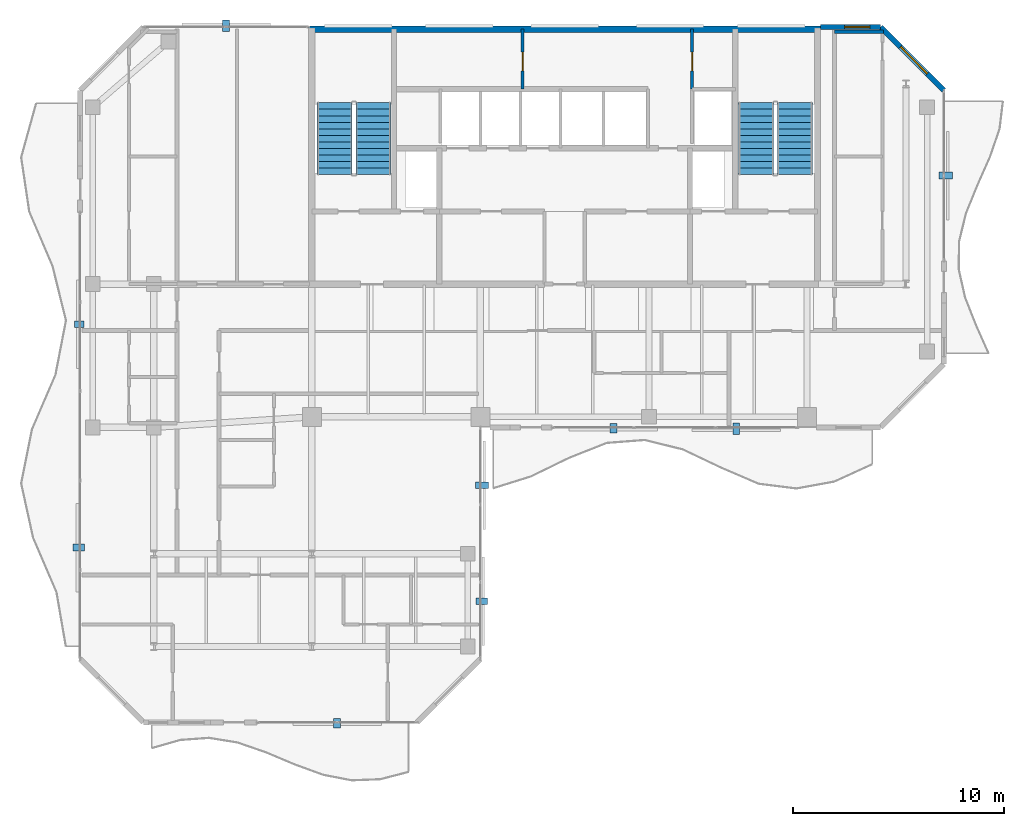
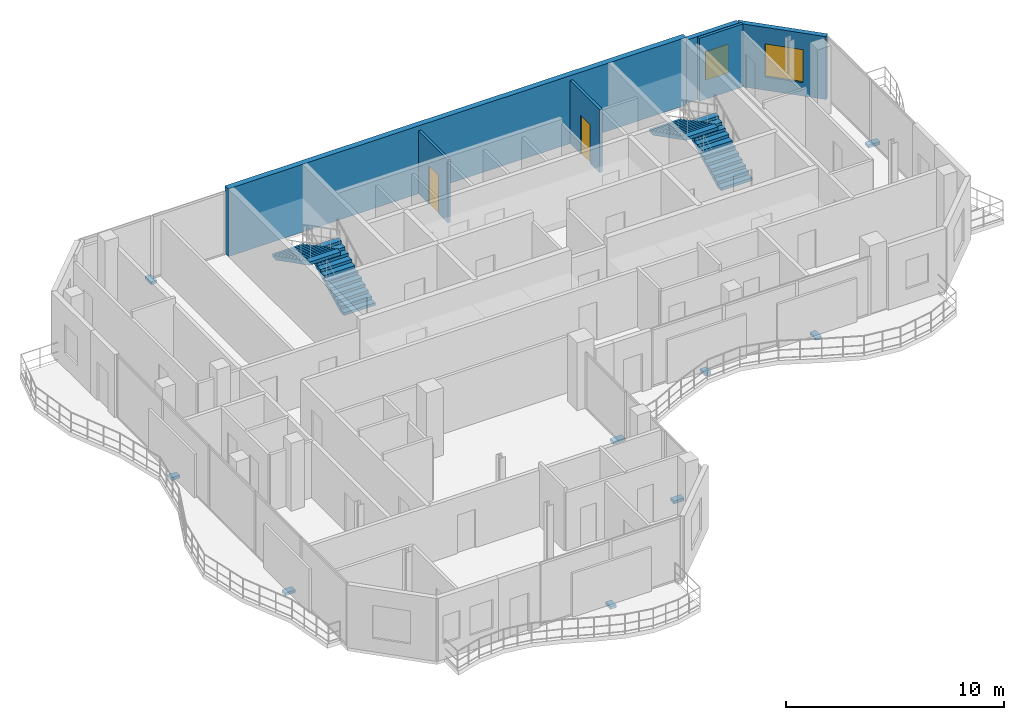
# One storey, part 20 of 23: 9 discrete accessories, 6 walls, 4 stair flights, 2 doors, 2 windows, 4 openings, 2 elements without a shape of their own.
"""IFC4 building model written with IfcOpenShell, lengths in metres."""

from ifc_helpers import new_model, si_unit, direction, frame, frame_2d, origin, origin_2d, place, context, subcontext, project, spatial, polyline, rectangle, outline, extrude, material, layer, layer_set, type_object, element, fill, aggregate, save


model = new_model("IFC4")

# Units and contexts
model_context = context("Model", 3, precision=1e-05, world=origin(), true_north=direction((0.0, 1.0)))
body_context = subcontext(model_context, "Body", "Model", "MODEL_VIEW")
ifc_project = project(units=[si_unit("LENGTHUNIT", "METRE"), si_unit("AREAUNIT", "SQUARE_METRE"), si_unit("VOLUMEUNIT", "CUBIC_METRE"), si_unit("PLANEANGLEUNIT", "RADIAN"), si_unit("MASSUNIT", "GRAM", prefix="KILO")], contexts=[model_context])

# Site, building, storey
site_placement = place(None, origin())
site = spatial("IfcSite", under=ifc_project, at=site_placement, CompositionType="ELEMENT")
building_placement = place(site_placement, origin())
building = spatial("IfcBuilding", under=site, at=building_placement, Name="Catumbela Crestline Tower", CompositionType="ELEMENT")
storey_placement = place(building_placement, frame((0.0, 0.0, 248.8)))
storey = spatial("IfcBuildingStorey", under=building, at=storey_placement, Name="L64", CompositionType="ELEMENT", Elevation=248.8)

# Wall
ifc_material_1 = material(Name="Concrete C45/55", Category="concrete")
ifc_layer_1 = layer(ifc_material_1, 0.3, Name="Concrete C45/55")
ifc_layer_set_1 = layer_set([ifc_layer_1], Name="Concrete C45/55")
wall_type_1 = type_object("IfcWallType", Name="CW-300E", PredefinedType="SHEAR", material=ifc_layer_set_1)
wall_1_placement = place(storey_placement, frame((15.85, 42.9, 0.0), z_axis=(0.0, 0.0, 1.0), x_axis=(1.0, 0.0, 0.0)))
element("IfcWall", 1, at=wall_1_placement, inside=storey, type_object=wall_type_1, Name="L64 Structural Core Shear Wall N", PredefinedType="SHEAR", context=body_context, shape_type="SweptSolid", body=[
    extrude(rectangle(XDim=24.3, YDim=0.3, at=frame_2d((12.15, 0.0))), origin(), (0.0, 0.0, 1.0), 3.8),
])

# Wall, opening, window
ifc_material_2 = material(Name="Angolan grey-ochre granite", Category="masonry")
ifc_layer_2 = layer(ifc_material_2, 0.25, Name="Angolan grey-ochre granite")
ifc_layer_set_2 = layer_set([ifc_layer_2], Name="Angolan grey-ochre granite")
wall_type_2 = type_object("IfcWallType", Name="WE-250", PredefinedType="STANDARD", material=ifc_layer_set_2)
wall_2_placement = place(storey_placement, frame((46.0, 40.0, 0.0), z_axis=(0.0, 0.0, 1.0), x_axis=(-0.707106781187, 0.707106781187, 0.0)))
wall_2 = element("IfcWall", 2, at=wall_2_placement, inside=storey, type_object=wall_type_2, Name="L64 Granite Punched Window Wall 6-1", PredefinedType="STANDARD", context=body_context, shape_type="SweptSolid", body=[
    extrude(rectangle(XDim=4.2426, YDim=0.25, at=frame_2d((2.1213, 0.0))), origin(), (0.0, 0.0, 1.0), 3.53),
])
opening_1_placement = place(wall_2_placement, frame((1.1111, 0.0, 0.75)))
opening_1 = element("IfcOpeningElement", 3, at=opening_1_placement, cuts=wall_2, Name="Opening WN-01", PredefinedType="OPENING", context=body_context, shape_type="SweptSolid", body=[
    extrude(rectangle(XDim=1.8, YDim=1.85, at=frame_2d((0.9, 0.925))), frame((0.0, 0.135, 0.0), z_axis=(0.0, -1.0, 0.0), x_axis=(1.0, 0.0, 0.0)), (0.0, 0.0, 1.0), 0.27),
])
ifc_material_3 = material(Name="Low-E laminated solar-control double glazing", Category="glass")
window_type_1 = type_object("IfcWindowType", Name="WF-1800", PartitioningType="SINGLE_PANEL", PredefinedType="WINDOW", material=ifc_material_3)
window_1_placement = place(opening_1_placement, origin())
window_1 = element("IfcWindow", 4, at=window_1_placement, inside=storey, type_object=window_type_1, Name="L64 Facade Vision Window 485", OverallHeight=1.85, OverallWidth=1.8, PartitioningType="SINGLE_PANEL", PredefinedType="WINDOW", context=body_context, shape_type="SweptSolid", body=[
    extrude(rectangle(XDim=1.8, YDim=1.85, at=frame_2d((0.9, 0.925))), frame((0.0, 0.03, 0.0), z_axis=(0.0, -1.0, 0.0), x_axis=(1.0, 0.0, 0.0)), (0.0, 0.0, 1.0), 0.06),
])
fill(opening_1, window_1)

wall_3_placement = place(storey_placement, frame((43.0, 43.0, 0.0), z_axis=(0.0, 0.0, 1.0), x_axis=(-1.0, 0.0, 0.0)))
wall_3 = element("IfcWall", 5, at=wall_3_placement, inside=storey, type_object=wall_type_2, Name="L64 Granite Punched Window Wall 7-1", PredefinedType="STANDARD", context=body_context, shape_type="SweptSolid", body=[
    extrude(rectangle(XDim=2.86, YDim=0.25, at=frame_2d((1.43, 0.0))), origin(), (0.0, 0.0, 1.0), 3.53),
])
opening_2_placement = place(wall_3_placement, frame((0.51, 0.0, 0.85)))
opening_2 = element("IfcOpeningElement", 6, at=opening_2_placement, cuts=wall_3, Name="Opening WN-02", PredefinedType="OPENING", context=body_context, shape_type="SweptSolid", body=[
    extrude(rectangle(XDim=1.2, YDim=1.6, at=frame_2d((0.6, 0.8))), frame((0.0, 0.135, 0.0), z_axis=(0.0, -1.0, 0.0), x_axis=(1.0, 0.0, 0.0)), (0.0, 0.0, 1.0), 0.27),
])
window_type_2 = type_object("IfcWindowType", Name="WO-1200", PartitioningType="SINGLE_PANEL", PredefinedType="WINDOW", material=ifc_material_3)
window_2_placement = place(opening_2_placement, origin())
window_2 = element("IfcWindow", 7, at=window_2_placement, inside=storey, type_object=window_type_2, Name="L64 Facade Vision Window 486", OverallHeight=1.6, OverallWidth=1.2, PartitioningType="SINGLE_PANEL", PredefinedType="WINDOW", context=body_context, shape_type="SweptSolid", body=[
    extrude(rectangle(XDim=1.2, YDim=1.6, at=frame_2d((0.6, 0.8))), frame((0.0, 0.03, 0.0), z_axis=(0.0, -1.0, 0.0), x_axis=(1.0, 0.0, 0.0)), (0.0, 0.0, 1.0), 0.06),
])
fill(opening_2, window_2)

# Wall, opening, door
ifc_material_4 = material(Name="Acoustic gypsum and mineral-wool partition")
ifc_layer_3 = layer(ifc_material_4, 0.15, Name="Acoustic gypsum and mineral-wool partition")
ifc_layer_set_3 = layer_set([ifc_layer_3], Name="Acoustic gypsum and mineral-wool partition")
wall_type_3 = type_object("IfcWallType", Name="WP-150", PredefinedType="PARTITIONING", material=ifc_layer_set_3)
wall_4_placement = place(storey_placement, frame((34.05, 40.05, 0.0), z_axis=(0.0, 0.0, 1.0), x_axis=(0.0, 1.0, 0.0)))
wall_4 = element("IfcWall", 8, at=wall_4_placement, inside=storey, type_object=wall_type_3, Name="L64 Interior Partition PW-L64-CR-EW", PredefinedType="PARTITIONING", context=body_context, shape_type="SweptSolid", body=[
    extrude(rectangle(XDim=2.85, YDim=0.15, at=frame_2d((1.425, 0.0))), origin(), (0.0, 0.0, 1.0), 3.53),
])
opening_3_placement = place(wall_4_placement, frame((0.865, 0.0, 0.0)))
opening_3 = element("IfcOpeningElement", 9, at=opening_3_placement, cuts=wall_4, Name="Opening DF9-090", PredefinedType="OPENING", context=body_context, shape_type="SweptSolid", body=[
    extrude(rectangle(XDim=0.9, YDim=2.15, at=frame_2d((0.45, 1.075))), frame((0.0, 0.085, 0.0), z_axis=(0.0, -1.0, 0.0), x_axis=(1.0, 0.0, 0.0)), (0.0, 0.0, 1.0), 0.17),
])
ifc_material_5 = material(Name="Stainless steel EN 1.4401", Category="steel")
door_type = type_object("IfcDoorType", Name="DF9-090", OperationType="NOTDEFINED", PredefinedType="DOOR", material=ifc_material_5)
door_1_placement = place(opening_3_placement, origin())
door_1 = element("IfcDoor", 10, at=door_1_placement, inside=storey, type_object=door_type, Name="L64 Interior Door DR-L64-CREAST", OperationType="SINGLE_SWING_RIGHT", OverallHeight=2.15, OverallWidth=0.9, PredefinedType="DOOR", context=body_context, shape_type="SweptSolid", body=[
    extrude(rectangle(XDim=0.9, YDim=2.15, at=frame_2d((0.45, 1.075))), frame((0.0, 0.025, 0.0), z_axis=(0.0, -1.0, 0.0), x_axis=(1.0, 0.0, 0.0)), (0.0, 0.0, 1.0), 0.05),
])
fill(opening_3, door_1)

wall_5_placement = place(storey_placement, frame((26.0, 40.05, 0.0), z_axis=(0.0, 0.0, 1.0), x_axis=(0.0, 1.0, 0.0)))
wall_5 = element("IfcWall", 11, at=wall_5_placement, inside=storey, type_object=wall_type_3, Name="L64 Interior Partition PW-L64-CR-WW", PredefinedType="PARTITIONING", context=body_context, shape_type="SweptSolid", body=[
    extrude(rectangle(XDim=2.85, YDim=0.15, at=frame_2d((1.425, 0.0))), origin(), (0.0, 0.0, 1.0), 3.53),
])
opening_4_placement = place(wall_5_placement, frame((0.865, 0.0, 0.0)))
opening_4 = element("IfcOpeningElement", 12, at=opening_4_placement, cuts=wall_5, Name="Opening DF9-090", PredefinedType="OPENING", context=body_context, shape_type="SweptSolid", body=[
    extrude(rectangle(XDim=0.9, YDim=2.15, at=frame_2d((0.45, 1.075))), frame((0.0, 0.085, 0.0), z_axis=(0.0, -1.0, 0.0), x_axis=(1.0, 0.0, 0.0)), (0.0, 0.0, 1.0), 0.17),
])
door_2_placement = place(opening_4_placement, origin())
door_2 = element("IfcDoor", 13, at=door_2_placement, inside=storey, type_object=door_type, Name="L64 Interior Door DR-L64-CRWEST", OperationType="SINGLE_SWING_LEFT", OverallHeight=2.15, OverallWidth=0.9, PredefinedType="DOOR", context=body_context, shape_type="SweptSolid", body=[
    extrude(rectangle(XDim=0.9, YDim=2.15, at=frame_2d((0.45, 1.075))), frame((0.0, 0.025, 0.0), z_axis=(0.0, -1.0, 0.0), x_axis=(1.0, 0.0, 0.0)), (0.0, 0.0, 1.0), 0.05),
])
fill(opening_4, door_2)

# Wall
wall_6_placement = place(storey_placement, frame((40.8, 42.78, 0.0), z_axis=(0.0, 0.0, 1.0), x_axis=(1.0, 0.0, 0.0)))
element("IfcWall", 14, at=wall_6_placement, inside=storey, type_object=wall_type_3, Name="L64 Interior Partition PW-L64-NE1-BTH-BCL-2", PredefinedType="PARTITIONING", context=body_context, shape_type="SweptSolid", body=[
    extrude(rectangle(XDim=2.32, YDim=0.15, at=frame_2d((1.16, 0.0))), origin(), (0.0, 0.0, 1.0), 3.53),
])

# Stair, stair flights
stair_type = type_object("IfcStairType", Name="ST-DLG", PredefinedType="HALF_TURN_STAIR", material=ifc_material_1)
stair_1_placement = place(storey_placement, origin())
stair_1 = element("IfcStair", 15, at=stair_1_placement, inside=storey, type_object=stair_type, Name="L64 West Core Pressurised Exit Stair ST-01", PredefinedType="HALF_TURN_STAIR")
stair_flight_type = type_object("IfcStairFlightType", Name="SF-1583", PredefinedType="STRAIGHT", material=ifc_material_1)
stair_flight_1_placement = place(storey_placement, frame((18.92, 36.0, 0.0), z_axis=(0.0, 0.0, 1.0), x_axis=(0.0, 1.0, 0.0)))
stair_flight_1 = element("IfcStairFlight", 16, at=stair_flight_1_placement, type_object=stair_flight_type, Name="ST-01 flight 1", NumberOfRisers=12, NumberOfTreads=11, PredefinedType="STRAIGHT", RiserHeight=0.158333333, TreadLength=0.31, context=body_context, shape_type="SweptSolid", body=[
    extrude(outline(polyline([(0.0, 0.0), (0.0, 0.1583), (0.31, 0.1583), (0.31, 0.3167), (0.62, 0.3167), (0.62, 0.475), (0.93, 0.475), (0.93, 0.6333), (1.24, 0.6333), (1.24, 0.7917), (1.55, 0.7917), (1.55, 0.95), (1.86, 0.95), (1.86, 1.1083), (2.17, 1.1083), (2.17, 1.2667), (2.48, 1.2667), (2.48, 1.425), (2.79, 1.425), (2.79, 1.5833), (3.1, 1.5833), (3.1, 1.7417), (3.41, 1.7417), (3.41, 1.9), (3.41, 1.562), (0.3518, 0.0), (0.0, 0.0)])), frame((0.0, 0.83, 0.0), z_axis=(0.0, -1.0, 0.0), x_axis=(1.0, 0.0, 0.0)), (0.0, 0.0, 1.0), 1.66),
])
stair_flight_2_placement = place(storey_placement, frame((17.08, 39.41, 1.9), z_axis=(0.0, 0.0, 1.0), x_axis=(0.0, -1.0, 0.0)))
stair_flight_2 = element("IfcStairFlight", 17, at=stair_flight_2_placement, type_object=stair_flight_type, Name="ST-01 flight 2", NumberOfRisers=12, NumberOfTreads=11, PredefinedType="STRAIGHT", RiserHeight=0.158333333, TreadLength=0.31, context=body_context, shape_type="SweptSolid", body=[
    extrude(outline(polyline([(0.0, 0.0), (0.0, 0.1583), (0.31, 0.1583), (0.31, 0.3167), (0.62, 0.3167), (0.62, 0.475), (0.93, 0.475), (0.93, 0.6333), (1.24, 0.6333), (1.24, 0.7917), (1.55, 0.7917), (1.55, 0.95), (1.86, 0.95), (1.86, 1.1083), (2.17, 1.1083), (2.17, 1.2667), (2.48, 1.2667), (2.48, 1.425), (2.79, 1.425), (2.79, 1.5833), (3.1, 1.5833), (3.1, 1.7417), (3.41, 1.7417), (3.41, 1.9), (3.41, 1.562), (0.3518, 0.0), (0.0, 0.0)])), frame((0.0, 0.83, 0.0), z_axis=(0.0, -1.0, 0.0), x_axis=(1.0, 0.0, 0.0)), (0.0, 0.0, 1.0), 1.66),
])
aggregate(stair_1, [stair_flight_1, stair_flight_2])

stair_2_placement = place(storey_placement, origin())
stair_2 = element("IfcStair", 18, at=stair_2_placement, inside=storey, type_object=stair_type, Name="L64 East Core Pressurised Exit Stair ST-02", PredefinedType="HALF_TURN_STAIR")
stair_flight_3_placement = place(storey_placement, frame((38.92, 36.0, 0.0), z_axis=(0.0, 0.0, 1.0), x_axis=(0.0, 1.0, 0.0)))
stair_flight_3 = element("IfcStairFlight", 19, at=stair_flight_3_placement, type_object=stair_flight_type, Name="ST-02 flight 1", NumberOfRisers=12, NumberOfTreads=11, PredefinedType="STRAIGHT", RiserHeight=0.158333333, TreadLength=0.31, context=body_context, shape_type="SweptSolid", body=[
    extrude(outline(polyline([(0.0, 0.0), (0.0, 0.1583), (0.31, 0.1583), (0.31, 0.3167), (0.62, 0.3167), (0.62, 0.475), (0.93, 0.475), (0.93, 0.6333), (1.24, 0.6333), (1.24, 0.7917), (1.55, 0.7917), (1.55, 0.95), (1.86, 0.95), (1.86, 1.1083), (2.17, 1.1083), (2.17, 1.2667), (2.48, 1.2667), (2.48, 1.425), (2.79, 1.425), (2.79, 1.5833), (3.1, 1.5833), (3.1, 1.7417), (3.41, 1.7417), (3.41, 1.9), (3.41, 1.562), (0.3518, 0.0), (0.0, 0.0)])), frame((0.0, 0.83, 0.0), z_axis=(0.0, -1.0, 0.0), x_axis=(1.0, 0.0, 0.0)), (0.0, 0.0, 1.0), 1.66),
])
stair_flight_4_placement = place(storey_placement, frame((37.08, 39.41, 1.9), z_axis=(0.0, 0.0, 1.0), x_axis=(0.0, -1.0, 0.0)))
stair_flight_4 = element("IfcStairFlight", 20, at=stair_flight_4_placement, type_object=stair_flight_type, Name="ST-02 flight 2", NumberOfRisers=12, NumberOfTreads=11, PredefinedType="STRAIGHT", RiserHeight=0.158333333, TreadLength=0.31, context=body_context, shape_type="SweptSolid", body=[
    extrude(outline(polyline([(0.0, 0.0), (0.0, 0.1583), (0.31, 0.1583), (0.31, 0.3167), (0.62, 0.3167), (0.62, 0.475), (0.93, 0.475), (0.93, 0.6333), (1.24, 0.6333), (1.24, 0.7917), (1.55, 0.7917), (1.55, 0.95), (1.86, 0.95), (1.86, 1.1083), (2.17, 1.1083), (2.17, 1.2667), (2.48, 1.2667), (2.48, 1.425), (2.79, 1.425), (2.79, 1.5833), (3.1, 1.5833), (3.1, 1.7417), (3.41, 1.7417), (3.41, 1.9), (3.41, 1.562), (0.3518, 0.0), (0.0, 0.0)])), frame((0.0, 0.83, 0.0), z_axis=(0.0, -1.0, 0.0), x_axis=(1.0, 0.0, 0.0)), (0.0, 0.0, 1.0), 1.66),
])
aggregate(stair_2, [stair_flight_3, stair_flight_4])

# Discrete accessories
discrete_accessory_type = type_object("IfcDiscreteAccessoryType", Name="BK-SS1", PredefinedType="BRACKET", material=ifc_material_5)
discrete_accessory_1_placement = place(storey_placement, frame((17.2, 9.955, -0.18), z_axis=(0.0, 0.0, 1.0), x_axis=(1.0, 0.0, 0.0)))
element("IfcDiscreteAccessory", 21, at=discrete_accessory_1_placement, inside=storey, type_object=discrete_accessory_type, Name="L64 Solar Screen Stainless Bracket 773", PredefinedType="BRACKET", context=body_context, shape_type="SweptSolid", body=[
    extrude(rectangle(XDim=0.32, YDim=0.46, at=origin_2d()), origin(), (0.0, 0.0, 1.0), 0.16),
])
discrete_accessory_2_placement = place(storey_placement, frame((24.065, 15.75, -0.18), z_axis=(0.0, 0.0, 1.0), x_axis=(0.0, 1.0, 0.0)))
element("IfcDiscreteAccessory", 22, at=discrete_accessory_2_placement, inside=storey, type_object=discrete_accessory_type, Name="L64 Solar Screen Stainless Bracket 774", PredefinedType="BRACKET", context=body_context, shape_type="SweptSolid", body=[
    extrude(rectangle(XDim=0.32, YDim=0.54, at=origin_2d()), origin(), (0.0, 0.0, 1.0), 0.16),
])
discrete_accessory_3_placement = place(storey_placement, frame((24.085, 21.25, -0.18), z_axis=(0.0, 0.0, 1.0), x_axis=(0.0, 1.0, 0.0)))
element("IfcDiscreteAccessory", 23, at=discrete_accessory_3_placement, inside=storey, type_object=discrete_accessory_type, Name="L64 Solar Screen Stainless Bracket 775", PredefinedType="BRACKET", context=body_context, shape_type="SweptSolid", body=[
    extrude(rectangle(XDim=0.32, YDim=0.62, at=origin_2d()), origin(), (0.0, 0.0, 1.0), 0.16),
])
discrete_accessory_4_placement = place(storey_placement, frame((30.3125, 23.955, -0.18), z_axis=(0.0, 0.0, 1.0), x_axis=(1.0, 0.0, 0.0)))
element("IfcDiscreteAccessory", 24, at=discrete_accessory_4_placement, inside=storey, type_object=discrete_accessory_type, Name="L64 Solar Screen Stainless Bracket 776", PredefinedType="BRACKET", context=body_context, shape_type="SweptSolid", body=[
    extrude(rectangle(XDim=0.32, YDim=0.46, at=origin_2d()), origin(), (0.0, 0.0, 1.0), 0.16),
])
discrete_accessory_5_placement = place(storey_placement, frame((36.1375, 23.935, -0.18), z_axis=(0.0, 0.0, 1.0), x_axis=(1.0, 0.0, 0.0)))
element("IfcDiscreteAccessory", 25, at=discrete_accessory_5_placement, inside=storey, type_object=discrete_accessory_type, Name="L64 Solar Screen Stainless Bracket 777", PredefinedType="BRACKET", context=body_context, shape_type="SweptSolid", body=[
    extrude(rectangle(XDim=0.32, YDim=0.54, at=origin_2d()), origin(), (0.0, 0.0, 1.0), 0.16),
])
discrete_accessory_6_placement = place(storey_placement, frame((46.085, 35.95, -0.18), z_axis=(0.0, 0.0, 1.0), x_axis=(0.0, 1.0, 0.0)))
element("IfcDiscreteAccessory", 26, at=discrete_accessory_6_placement, inside=storey, type_object=discrete_accessory_type, Name="L64 Solar Screen Stainless Bracket 778", PredefinedType="BRACKET", context=body_context, shape_type="SweptSolid", body=[
    extrude(rectangle(XDim=0.32, YDim=0.62, at=origin_2d()), origin(), (0.0, 0.0, 1.0), 0.16),
])
discrete_accessory_7_placement = place(storey_placement, frame((11.93, 43.065, -0.18), z_axis=(0.0, 0.0, 1.0), x_axis=(-1.0, 0.0, 0.0)))
element("IfcDiscreteAccessory", 27, at=discrete_accessory_7_placement, inside=storey, type_object=discrete_accessory_type, Name="L64 Solar Screen Stainless Bracket 779", PredefinedType="BRACKET", context=body_context, shape_type="SweptSolid", body=[
    extrude(rectangle(XDim=0.32, YDim=0.54, at=origin_2d()), origin(), (0.0, 0.0, 1.0), 0.16),
])
discrete_accessory_8_placement = place(storey_placement, frame((4.955, 28.9, -0.18), z_axis=(0.0, 0.0, 1.0), x_axis=(0.0, -1.0, 0.0)))
element("IfcDiscreteAccessory", 28, at=discrete_accessory_8_placement, inside=storey, type_object=discrete_accessory_type, Name="L64 Solar Screen Stainless Bracket 780", PredefinedType="BRACKET", context=body_context, shape_type="SweptSolid", body=[
    extrude(rectangle(XDim=0.32, YDim=0.46, at=origin_2d()), origin(), (0.0, 0.0, 1.0), 0.16),
])
discrete_accessory_9_placement = place(storey_placement, frame((4.935, 18.3, -0.18), z_axis=(0.0, 0.0, 1.0), x_axis=(0.0, -1.0, 0.0)))
element("IfcDiscreteAccessory", 29, at=discrete_accessory_9_placement, inside=storey, type_object=discrete_accessory_type, Name="L64 Solar Screen Stainless Bracket 781", PredefinedType="BRACKET", context=body_context, shape_type="SweptSolid", body=[
    extrude(rectangle(XDim=0.32, YDim=0.54, at=origin_2d()), origin(), (0.0, 0.0, 1.0), 0.16),
])

save(model, "model.ifc")
